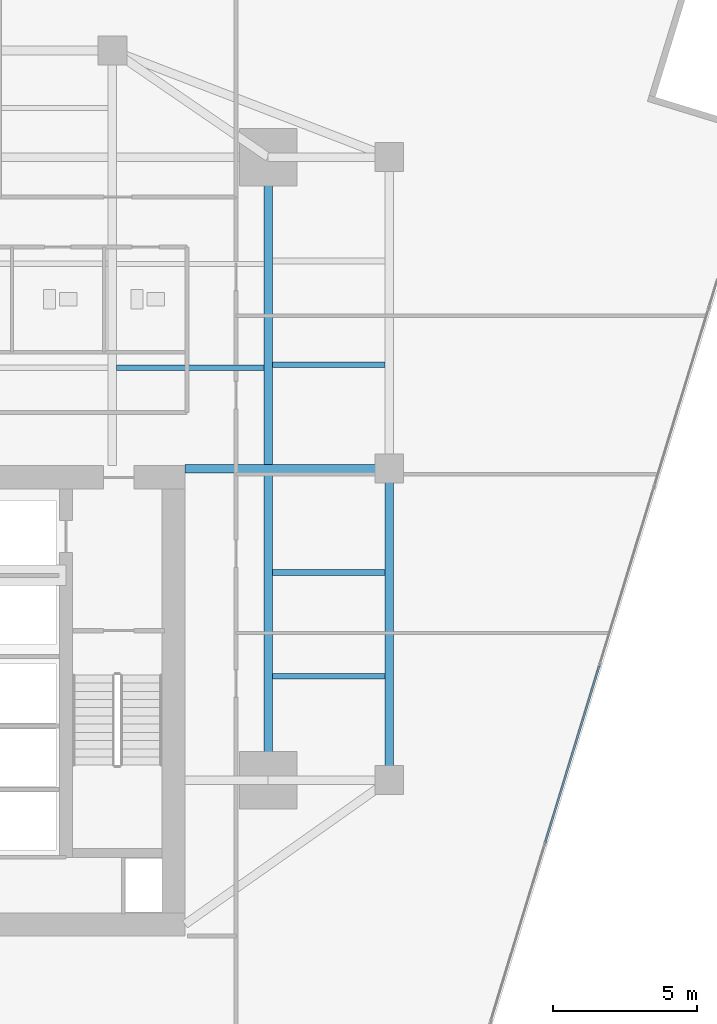
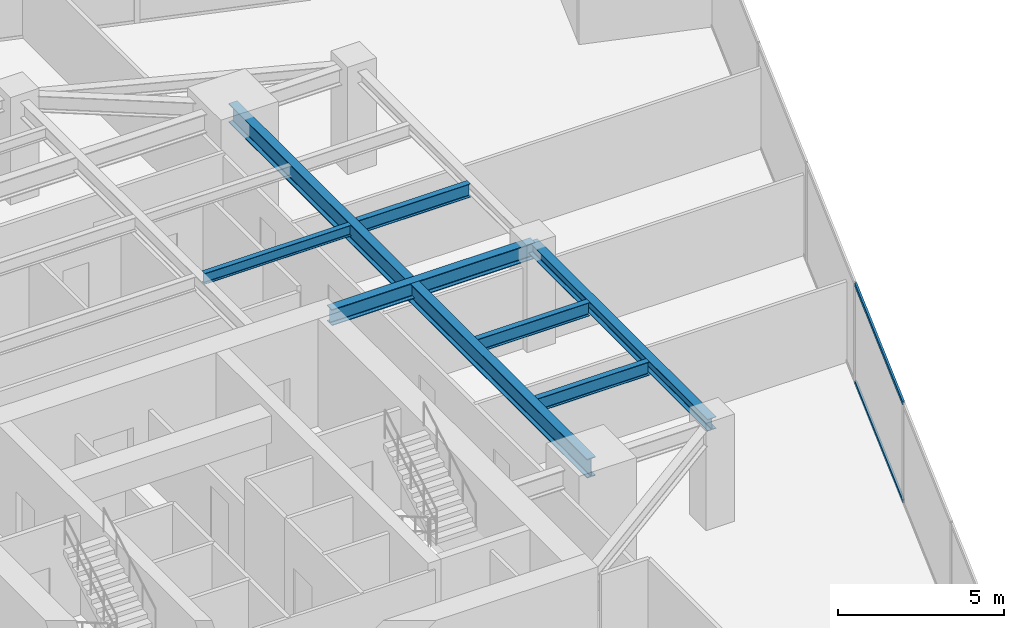
# One storey, part 11 of 26: 7 beams, 2 members, 1 element without a shape of its own.
"""IFC4 building model written with IfcOpenShell, lengths in metres."""

from ifc_helpers import new_model, si_unit, direction, frame, origin, origin_2d, place, context, subcontext, project, spatial, hollow_rectangle, i_section, extrude, source, transform, mapped, material, material_profile, profile_set, type_object, type_shapes, element, aggregate, save


model = new_model("IFC4")

# Units and contexts
model_context = context("Model", 3, precision=1e-05, world=origin(), true_north=direction((0.0, 1.0)))
body_context = subcontext(model_context, "Body", "Model", "MODEL_VIEW")
ifc_project = project(units=[si_unit("LENGTHUNIT", "METRE"), si_unit("AREAUNIT", "SQUARE_METRE"), si_unit("VOLUMEUNIT", "CUBIC_METRE"), si_unit("PLANEANGLEUNIT", "RADIAN"), si_unit("MASSUNIT", "GRAM", prefix="KILO")], contexts=[model_context])

# Site, building, storey
site_placement = place(None, origin())
site = spatial("IfcSite", under=ifc_project, at=site_placement, CompositionType="ELEMENT")
building_placement = place(site_placement, origin())
building = spatial("IfcBuilding", under=site, at=building_placement, Name="Krantzveldt Concourse Tower", CompositionType="ELEMENT")
storey_placement = place(building_placement, frame((0.0, 0.0, 113.75)))
storey = spatial("IfcBuildingStorey", under=building, at=storey_placement, Name="L27", CompositionType="ELEMENT", Elevation=113.75)

# Beams
ifc_material_1 = material(Name="Steel S355J2", Category="steel")
ifc_material_profile_1 = material_profile(ifc_material_1, i_section(OverallWidth=0.300048828125, OverallDepth=0.699951171875, WebThickness=0.01708984375, FlangeThickness=0.031982421875, FilletRadius=0.027099609375, at=origin_2d()), Name="Steel S355J2", Category="steel")
ifc_profile_set_1 = profile_set([ifc_material_profile_1], Name="Steel S355J2 - HEB 700")
beam_type_1 = type_object("IfcBeamType", Name="BM-B-HEB700", PredefinedType="BEAM", material=ifc_profile_set_1)
shared_shape_1 = source(origin(), body_context, "Body", "SweptSolid", [
    extrude(i_section(OverallWidth=0.300048828125, OverallDepth=0.699951171875, WebThickness=0.01708984375, FlangeThickness=0.031982421875, FilletRadius=0.027099609375, at=origin_2d()), origin(), (0.0, 0.0, 1.0), 21.60009765625),
])
type_shapes(beam_type_1, [shared_shape_1])
beam_1_placement = place(storey_placement, frame((46.800048828125, 15.89990234375, 3.320068359375), z_axis=(0.0, 1.0, 0.0), x_axis=(-1.0, 0.0, 0.0)))
element("IfcBeam", 1, at=beam_1_placement, inside=storey, type_object=beam_type_1, Name="L27 Tower Girder BG-ME", PredefinedType="BEAM", context=body_context, shape_type="MappedRepresentation", body=[
    mapped(shared_shape_1, transform((0.0, 0.0, 0.0), x_axis=(1.0, 0.0, 0.0), y_axis=(0.0, 1.0, 0.0), z_axis=(0.0, 0.0, 1.0), scale=1.0)),
])
ifc_material_2 = material(Name="Steel S355JR", Category="steel")
ifc_material_profile_2 = material_profile(ifc_material_2, i_section(OverallWidth=0.300048828125, OverallDepth=0.590087890625, WebThickness=0.012939453125, FlangeThickness=0.02490234375, FilletRadius=0.027099609375, at=origin_2d()), Name="Steel S355JR", Category="steel")
ifc_profile_set_2 = profile_set([ifc_material_profile_2], Name="Steel S355JR - HEA 600")
beam_type_2 = type_object("IfcBeamType", Name="BM-B-HEA600", PredefinedType="BEAM", material=ifc_profile_set_2)
shared_shape_2 = source(origin(), body_context, "Body", "SweptSolid", [
    extrude(i_section(OverallWidth=0.300048828125, OverallDepth=0.590087890625, WebThickness=0.012939453125, FlangeThickness=0.02490234375, FilletRadius=0.027099609375, at=origin_2d()), origin(), (0.0, 0.0, 1.0), 7.080078125),
])
type_shapes(beam_type_2, [shared_shape_2])
beam_2_placement = place(storey_placement, frame((43.919921875, 26.699951171875, 3.375), z_axis=(1.0, 0.0, 0.0), x_axis=(0.0, 1.0, 0.0)))
element("IfcBeam", 2, at=beam_2_placement, inside=storey, type_object=beam_type_2, Name="L27 Tower Girder BG-CE2", PredefinedType="BEAM", context=body_context, shape_type="MappedRepresentation", body=[
    mapped(shared_shape_2, transform((0.0, 0.0, 0.0), x_axis=(1.0, 0.0, 0.0), y_axis=(0.0, 1.0, 0.0), z_axis=(0.0, 0.0, 1.0), scale=1.0)),
])
ifc_material_profile_3 = material_profile(ifc_material_2, i_section(OverallWidth=0.300048828125, OverallDepth=0.43994140625, WebThickness=0.011474609375, FlangeThickness=0.02099609375, FilletRadius=0.027099609375, at=origin_2d()), Name="Steel S355JR", Category="steel")
ifc_profile_set_3 = profile_set([ifc_material_profile_3], Name="Steel S355JR - HEA 450")
beam_type_3 = type_object("IfcBeamType", Name="BM-SP-HEA450", PredefinedType="SPANDREL", material=ifc_profile_set_3)
shared_shape_3 = source(origin(), body_context, "Body", "SweptSolid", [
    extrude(i_section(OverallWidth=0.300048828125, OverallDepth=0.43994140625, WebThickness=0.011474609375, FlangeThickness=0.02099609375, FilletRadius=0.027099609375, at=origin_2d()), origin(), (0.0, 0.0, 1.0), 10.800048828125),
])
type_shapes(beam_type_3, [shared_shape_3])
beam_3_placement = place(storey_placement, frame((51.0, 26.699951171875, 3.449951171875), z_axis=(0.0, -1.0, 0.0), x_axis=(1.0, 0.0, 0.0)))
element("IfcBeam", 3, at=beam_3_placement, inside=storey, type_object=beam_type_3, Name="L27 Tower Girder SP-R07", PredefinedType="SPANDREL", context=body_context, shape_type="MappedRepresentation", body=[
    mapped(shared_shape_3, transform((0.0, 0.0, 0.0), x_axis=(1.0, 0.0, 0.0), y_axis=(0.0, 1.0, 0.0), z_axis=(0.0, 0.0, 1.0), scale=1.0)),
])
ifc_material_profile_4 = material_profile(ifc_material_2, i_section(OverallWidth=0.179931640625, OverallDepth=0.39990234375, WebThickness=0.008544921875, FlangeThickness=0.013427734375, FilletRadius=0.02099609375, at=origin_2d()), Name="Steel S355JR", Category="steel")
ifc_profile_set_4 = profile_set([ifc_material_profile_4], Name="Steel S355JR - IPE 400")
beam_type_4 = type_object("IfcBeamType", Name="BM-J-IPE400", PredefinedType="JOIST", material=ifc_profile_set_4)
shared_shape_4 = source(origin(), body_context, "Body", "SweptSolid", [
    extrude(i_section(OverallWidth=0.179931640625, OverallDepth=0.39990234375, WebThickness=0.008544921875, FlangeThickness=0.013427734375, FilletRadius=0.02099609375, at=origin_2d()), origin(), (0.0, 0.0, 1.0), 5.099853515625),
])
type_shapes(beam_type_4, [shared_shape_4])
beam_4_placement = place(storey_placement, frame((41.550048828125, 30.199951171875, 3.469970703125), z_axis=(1.0, 0.0, 0.0), x_axis=(0.0, 1.0, 0.0)))
element("IfcBeam", 4, at=beam_4_placement, inside=storey, type_object=beam_type_4, Name="L27 Secondary Floor Joist JN-E1", PredefinedType="JOIST", context=body_context, shape_type="MappedRepresentation", body=[
    mapped(shared_shape_4, transform((0.0, 0.0, 0.0), x_axis=(1.0, 0.0, 0.0), y_axis=(0.0, 1.0, 0.0), z_axis=(0.0, 0.0, 1.0), scale=1.0)),
])
ifc_material_profile_5 = material_profile(ifc_material_2, i_section(OverallWidth=0.199951171875, OverallDepth=0.5, WebThickness=0.01025390625, FlangeThickness=0.01611328125, FilletRadius=0.02099609375, at=origin_2d()), Name="Steel S355JR", Category="steel")
ifc_profile_set_5 = profile_set([ifc_material_profile_5], Name="Steel S355JR - IPE 500")
beam_type_5 = type_object("IfcBeamType", Name="BM-J-IPE500", PredefinedType="JOIST", material=ifc_profile_set_5)
shared_shape_5 = source(origin(), body_context, "Body", "SweptSolid", [
    extrude(i_section(OverallWidth=0.199951171875, OverallDepth=0.5, WebThickness=0.01025390625, FlangeThickness=0.01611328125, FilletRadius=0.02099609375, at=origin_2d()), origin(), (0.0, 0.0, 1.0), 3.900146484375),
])
type_shapes(beam_type_5, [shared_shape_5])
for number, where, z_axis, x_axis, name in (
    (5, (46.949951171875, 19.5, 3.419921875), (1.0, 0.0, 0.0), (0.0, 1.0, 0.0), "L27 Secondary Floor Joist JE-1"),
    (6, (46.949951171875, 23.10009765625, 3.419921875), (1.0, 0.0, 0.0), (0.0, 1.0, 0.0), "L27 Secondary Floor Joist JE-2"),
    (7, (46.949951171875, 30.300048828125, 3.419921875), (1.0, 0.0, 0.0), (0.0, 1.0, 0.0), "L27 Secondary Floor Joist JE-3"),
):
    element("IfcBeam", number, at=place(storey_placement, frame(where, z_axis=z_axis, x_axis=x_axis)), inside=storey, type_object=beam_type_5, Name=name, PredefinedType="JOIST", context=body_context, shape_type="MappedRepresentation", body=[
        mapped(shared_shape_5, transform((0.0, 0.0, 0.0), x_axis=(1.0, 0.0, 0.0), y_axis=(0.0, 1.0, 0.0), z_axis=(0.0, 0.0, 1.0), scale=1.0)),
    ])

# Curtain wall, members
ifc_material_3 = material(Name="Anodised aluminium 6063-T6", Category="aluminium")
curtain_wall_type = type_object("IfcCurtainWallType", Name="CW2", PredefinedType="USERDEFINED", material=ifc_material_3)
curtain_wall_placement = place(storey_placement, origin())
curtain_wall = element("IfcCurtainWall", 8, at=curtain_wall_placement, inside=storey, type_object=curtain_wall_type, Name="CW-L27-F07", ObjectType="UNITISED CURTAIN WALL", PredefinedType="USERDEFINED")
ifc_material_profile_6 = material_profile(ifc_material_3, hollow_rectangle(XDim=0.070068359375, YDim=0.139892578125, WallThickness=0.0048828125, at=origin_2d()), Name="Anodised aluminium 6063-T6", Category="aluminium")
ifc_profile_set_6 = profile_set([ifc_material_profile_6], Name="Anodised aluminium 6063-T6 - ALU-TRAN 140x70x5")
member_type = type_object("IfcMemberType", Name="CW-TRN-150", PredefinedType="USERDEFINED", material=ifc_profile_set_6)
shared_shape_6 = source(origin(), body_context, "Body", "SweptSolid", [
    extrude(hollow_rectangle(XDim=0.070068359375, YDim=0.139892578125, WallThickness=0.0048828125, at=origin_2d()), origin(), (0.0, 0.0, 1.0), 6.396728515625),
])
type_shapes(member_type, [shared_shape_6])
member_1_placement = place(storey_placement, frame((56.4111328125, 13.734130859375, 0.034912109375), z_axis=(0.292358163404, 0.956308895855, 0.0), x_axis=(-0.956308895855, 0.292358163404, 0.0)))
member_1 = element("IfcMember", 9, at=member_1_placement, type_object=member_type, Name="CW-Z12 transom 3.1", ObjectType="TRANSOM", PredefinedType="USERDEFINED", context=body_context, shape_type="MappedRepresentation", body=[
    mapped(shared_shape_6, transform((0.0, 0.0, 0.0), x_axis=(1.0, 0.0, 0.0), y_axis=(0.0, 1.0, 0.0), z_axis=(0.0, 0.0, 1.0), scale=1.0)),
])
member_2_placement = place(storey_placement, frame((56.4111328125, 13.734130859375, 3.635009765625), z_axis=(0.292358163404, 0.956308895855, 0.0), x_axis=(-0.956308895855, 0.292358163404, 0.0)))
member_2 = element("IfcMember", 10, at=member_2_placement, type_object=member_type, Name="CW-Z12 transom 3.2", ObjectType="TRANSOM", PredefinedType="USERDEFINED", context=body_context, shape_type="MappedRepresentation", body=[
    mapped(shared_shape_6, transform((0.0, 0.0, 0.0), x_axis=(1.0, 0.0, 0.0), y_axis=(0.0, 1.0, 0.0), z_axis=(0.0, 0.0, 1.0), scale=1.0)),
])
aggregate(curtain_wall, [member_1, member_2])

save(model, "model.ifc")
